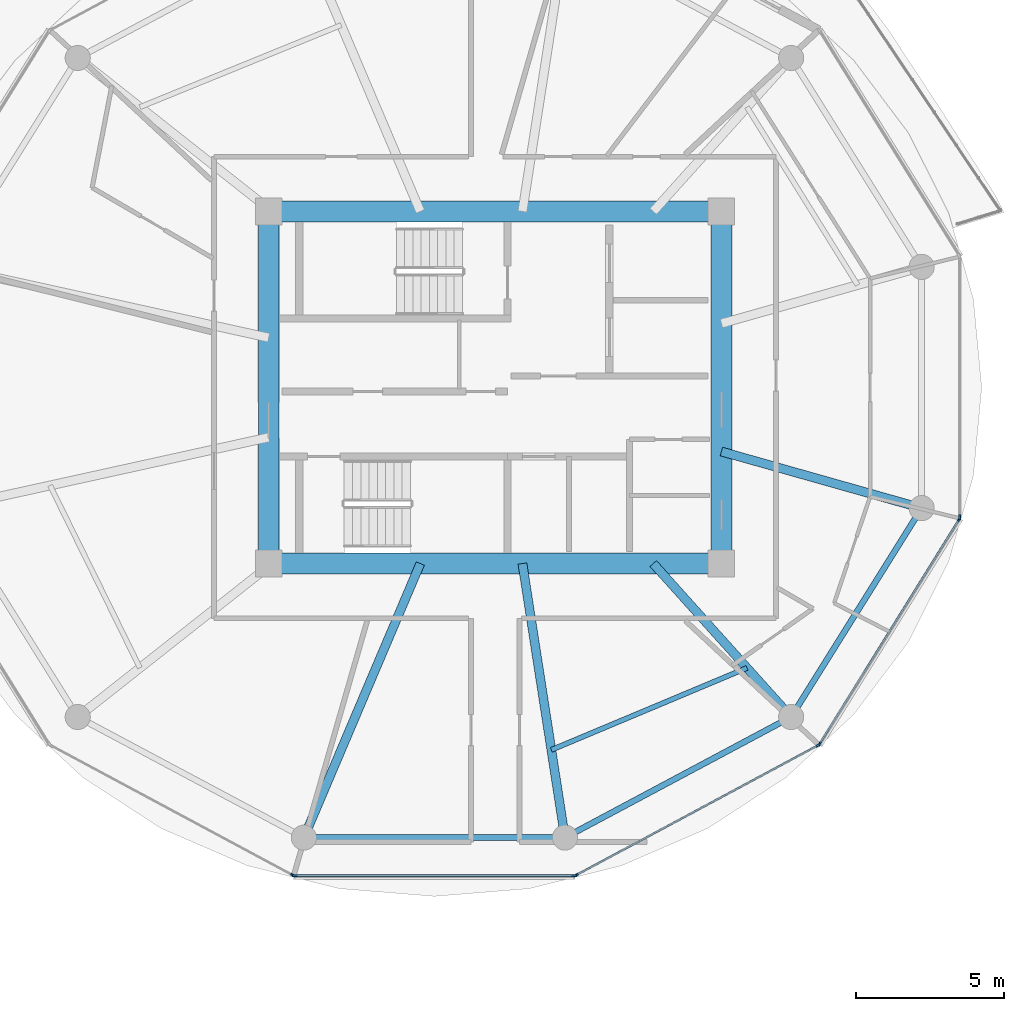
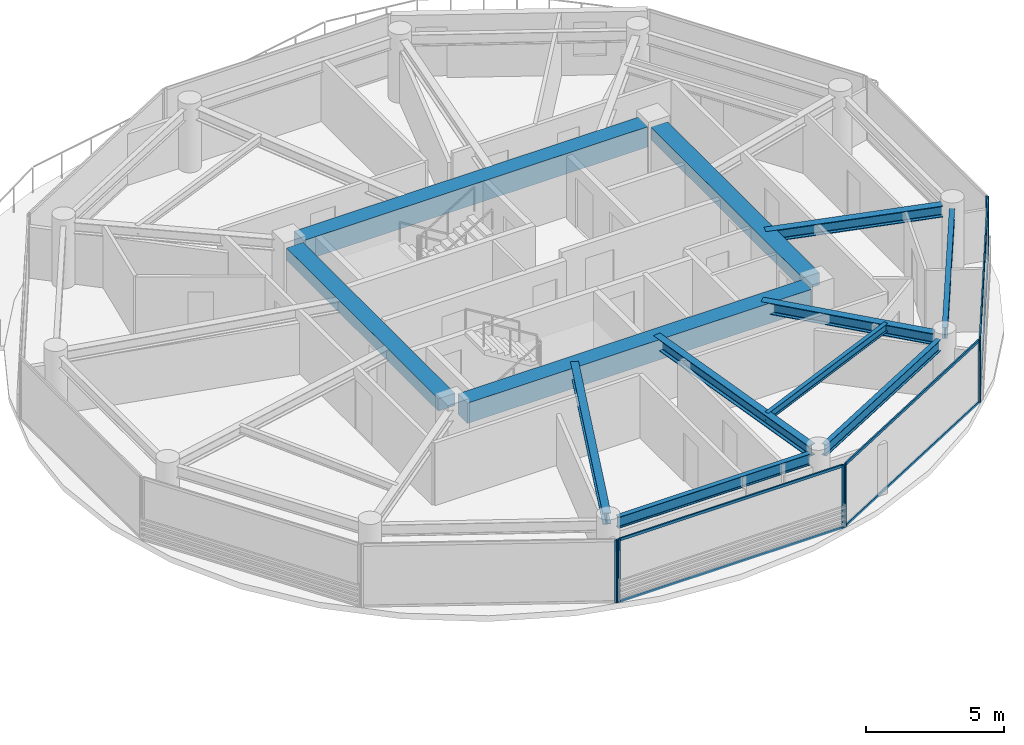
# One storey, part 10 of 24: 14 members, 12 beams, 5 elements without a shape of their own.
"""IFC4 building model written with IfcOpenShell, lengths in metres."""

import ifcopenshell
import ifcopenshell.guid

model = None  # the IFC model being written
_history = None  # IfcOwnerHistory: only IFC2X3 demands one
_inside = {}  # id of a spatial element -> (the spatial element, [elements in it])
_under = {}  # id of a project, library or spatial element -> (it, [spatial elements below it])
_declared = {}  # id of a project -> (the project, [libraries it declares])
_typed = {}  # id of a type object -> (the type object, [elements of that type])
_made_of = {}  # id of a material, layer set ... -> (it, [elements and type objects made of it])


def new_model(schema):
    """Start an empty IFC model of exactly this schema.

    Asked for "IFC4X3", IfcOpenShell would pick the latest addendum, in which some entities
    have other attributes; the version numbers below select the first issue.
    IFC2X3 requires an IfcOwnerHistory on every rooted entity: one is made here for all.
    """
    global model, _history
    if schema == "IFC4X3":
        model = ifcopenshell.file(schema_version=(4, 3, 0, 0))
    else:
        model = ifcopenshell.file(schema=schema)
    _inside.clear()
    _under.clear()
    _declared.clear()
    _typed.clear()
    _made_of.clear()
    _history = None
    if model.schema == "IFC2X3":
        org = make("IfcOrganization", Name="unknown")
        user = make(
            "IfcPersonAndOrganization",
            ThePerson=make("IfcPerson", FamilyName="unknown"),
            TheOrganization=org,
        )
        app = make(
            "IfcApplication",
            ApplicationDeveloper=org,
            Version="unknown",
            ApplicationFullName="unknown",
            ApplicationIdentifier="unknown",
        )
        _history = make(
            "IfcOwnerHistory",
            OwningUser=user,
            OwningApplication=app,
            ChangeAction="ADDED",
            CreationDate=0,
        )
    return model


def make(cls, **values):
    """One entity of the class cls with the attributes given. An attribute that is None is left unset."""
    return model.create_entity(
        cls, **{name: value for name, value in values.items() if value is not None}
    )


def rooted(cls, **values):
    """An entity with a GlobalId (a new one), such as an element, a storey or a relation."""
    return make(cls, GlobalId=ifcopenshell.guid.new(), OwnerHistory=_history, **values)


def si_unit(unit_type, name, prefix=None):
    """IfcSIUnit, for example si_unit("LENGTHUNIT", "METRE", prefix="MILLI")."""
    return make("IfcSIUnit", UnitType=unit_type, Prefix=prefix, Name=name)


def assignment(units):
    """IfcUnitAssignment: the units of a project."""
    return None if units is None else make("IfcUnitAssignment", Units=units)


def point(xyz):
    """IfcCartesianPoint."""
    return None if xyz is None else make("IfcCartesianPoint", Coordinates=xyz)


def direction(xyz):
    """IfcDirection."""
    return None if xyz is None else make("IfcDirection", DirectionRatios=xyz)


def frame(location, z_axis=None, x_axis=None):
    """IfcAxis2Placement3D, a coordinate frame: its origin and axes. An axis left out is left unset."""
    return make(
        "IfcAxis2Placement3D",
        Location=point(location),
        Axis=direction(z_axis),
        RefDirection=direction(x_axis),
    )


def frame_2d(location, x_axis=None):
    """IfcAxis2Placement2D, a coordinate frame in the plane: its origin and x axis."""
    return make(
        "IfcAxis2Placement2D", Location=point(location), RefDirection=direction(x_axis)
    )


def origin():
    """The frame at (0, 0, 0) with its axes left unset."""
    return frame((0.0, 0.0, 0.0))


def origin_2d():
    """The frame at (0, 0) in the plane with its x axis left unset."""
    return frame_2d((0.0, 0.0))


def place(relative_to, where):
    """IfcLocalPlacement: puts the frame where relative to a parent placement (None: the world)."""
    return make(
        "IfcLocalPlacement", PlacementRelTo=relative_to, RelativePlacement=where
    )


def context(
    kind, dimensions, precision=None, world=None, true_north=None, identifier=None
):
    """IfcGeometricRepresentationContext, for example the 3D "Model" context."""
    return make(
        "IfcGeometricRepresentationContext",
        ContextIdentifier=identifier,
        ContextType=kind,
        CoordinateSpaceDimension=dimensions,
        Precision=precision,
        WorldCoordinateSystem=world,
        TrueNorth=true_north,
    )


def subcontext(parent, identifier, kind, view, scale=None):
    """IfcGeometricRepresentationSubContext, for example "Body" below "Model"."""
    return make(
        "IfcGeometricRepresentationSubContext",
        ContextIdentifier=identifier,
        ContextType=kind,
        ParentContext=parent,
        TargetScale=scale,
        TargetView=view,
    )


def project(units=None, contexts=None):
    """IfcProject with its units and contexts."""
    return rooted(
        "IfcProject",
        Name="project",
        RepresentationContexts=contexts,
        UnitsInContext=assignment(units),
    )


def spatial(cls, under=None, at=None, **own):
    """A site, building, storey or space (cls), placed at a placement, below another one or the project."""
    s = rooted(cls, ObjectPlacement=at, **own)
    if under is not None:
        _under.setdefault(under.id(), (under, []))[1].append(s)
    return s


def profile(cls, at=None, kind="AREA", **sizes):
    """A parametric profile (cls). Its sizes go by their IFC names, for example OverallWidth=200.0."""
    return make(cls, ProfileType=kind, Position=at, **sizes)


def rectangle(**sizes):
    """IfcRectangleProfileDef."""
    return profile("IfcRectangleProfileDef", **sizes)


def i_section(**sizes):
    """IfcIShapeProfileDef."""
    return profile("IfcIShapeProfileDef", **sizes)


def extrude(swept, where, along, depth):
    """IfcExtrudedAreaSolid: the profile swept, set in the frame where, extruded along a direction by depth."""
    return make(
        "IfcExtrudedAreaSolid",
        SweptArea=swept,
        Position=where,
        ExtrudedDirection=direction(along),
        Depth=depth,
    )


def shape(context_of_items, identifier, shape_type, items):
    """IfcShapeRepresentation: the items that make up one representation, for example the "Body"."""
    return make(
        "IfcShapeRepresentation",
        ContextOfItems=context_of_items,
        RepresentationIdentifier=identifier,
        RepresentationType=shape_type,
        Items=items,
    )


def source(mapping_origin, context_of_items, identifier, shape_type, items):
    """IfcRepresentationMap: a shape defined once, which mapped items show again and again."""
    return make(
        "IfcRepresentationMap",
        MappingOrigin=mapping_origin,
        MappedRepresentation=shape(context_of_items, identifier, shape_type, items),
    )


def transform(
    local_origin,
    x_axis=None,
    y_axis=None,
    z_axis=None,
    scale=None,
    scale2=None,
    scale3=None,
    uniform=True,
):
    """IfcCartesianTransformationOperator3D, or its non-uniform kind. x_axis, y_axis, z_axis: its Axis1, 2, 3."""
    if uniform:
        return make(
            "IfcCartesianTransformationOperator3D",
            Axis1=direction(x_axis),
            Axis2=direction(y_axis),
            LocalOrigin=point(local_origin),
            Scale=scale,
            Axis3=direction(z_axis),
        )
    return make(
        "IfcCartesianTransformationOperator3DnonUniform",
        Axis1=direction(x_axis),
        Axis2=direction(y_axis),
        LocalOrigin=point(local_origin),
        Scale=scale,
        Axis3=direction(z_axis),
        Scale2=scale2,
        Scale3=scale3,
    )


def mapped(mapping_source, mapping_target):
    """IfcMappedItem: shows the shape of a source again, moved by a transform."""
    return make(
        "IfcMappedItem", MappingSource=mapping_source, MappingTarget=mapping_target
    )


def material(Name=None, Category=None):
    """IfcMaterial."""
    return make("IfcMaterial", Name=Name, Category=Category)


def layer(
    of_material, thickness, ventilated=None, Name=None, Category=None, Priority=None
):
    """IfcMaterialLayer: one layer of a wall or slab, of a material (None: an air gap)."""
    return make(
        "IfcMaterialLayer",
        Material=of_material,
        LayerThickness=thickness,
        IsVentilated=ventilated,
        Name=Name,
        Category=Category,
        Priority=Priority,
    )


def layer_set(layers, Name=None):
    """IfcMaterialLayerSet."""
    return make("IfcMaterialLayerSet", MaterialLayers=layers, LayerSetName=Name)


def material_profile(
    of_material, cross_section, Name=None, Category=None, Priority=None
):
    """IfcMaterialProfile: a cross section and its material."""
    return make(
        "IfcMaterialProfile",
        Name=Name,
        Material=of_material,
        Profile=cross_section,
        Priority=Priority,
        Category=Category,
    )


def profile_set(profiles, Name=None, composite=None):
    """IfcMaterialProfileSet."""
    return make(
        "IfcMaterialProfileSet",
        Name=Name,
        MaterialProfiles=profiles,
        CompositeProfile=composite,
    )


def made_of(thing, what):
    """Note that an element or type object is made of a material, layer set ...; save() writes the relation."""
    if what is not None:
        _made_of.setdefault(what.id(), (what, []))[1].append(thing)
    return thing


def type_object(cls, material=None, **own):
    """A type object (cls), such as IfcWallType, which elements share."""
    return made_of(rooted(cls, **own), material)


def type_shapes(of_type, sources):
    """Give a type object the sources (RepresentationMaps) that its elements show as mapped items."""
    of_type.RepresentationMaps = sources


def element(
    cls,
    number,
    at=None,
    inside=None,
    cuts=None,
    type_object=None,
    material=None,
    context=None,
    identifier="Body",
    shape_type=None,
    held_by="IfcProductDefinitionShape",
    body=None,
    shapes=None,
    **own,
):
    """One element of the class cls, such as IfcWall. Its Tag is "e" and its number.

    at: its placement. inside: the storey or other place that contains it. cuts: it is an
    opening in that element (IfcRelVoidsElement). A single representation is given by context,
    identifier, shape_type and body (its items); several are given by shapes. held_by: the class
    of the entity that holds the representations. save() writes the other relations.
    """
    e = rooted(cls, Tag="e%d" % number, ObjectPlacement=at, **own)
    if body is not None:
        shapes = [shape(context, identifier, shape_type, body)]
    if shapes is not None:
        e.Representation = make(held_by, Representations=shapes)
    if inside is not None:
        _inside.setdefault(inside.id(), (inside, []))[1].append(e)
    if cuts is not None:
        rooted(
            "IfcRelVoidsElement", RelatingBuildingElement=cuts, RelatedOpeningElement=e
        )
    if type_object is not None:
        _typed.setdefault(type_object.id(), (type_object, []))[1].append(e)
    return made_of(e, material)


def aggregate(whole, parts):
    """IfcRelAggregates: a whole, such as a stair, and the parts it consists of."""
    return rooted("IfcRelAggregates", RelatingObject=whole, RelatedObjects=parts)


def save(model, path):
    """Write the relations noted so far, then the file.

    IfcRelAggregates (storeys below a building ...), IfcRelContainedInSpatialStructure (elements
    in a storey), IfcRelDefinesByType, IfcRelAssociatesMaterial and IfcRelDeclares: one each for
    every whole, place, type object, material and project.
    """
    for whole, parts in _under.values():
        aggregate(whole, parts)
    for where, things in _inside.values():
        rooted(
            "IfcRelContainedInSpatialStructure",
            RelatedElements=things,
            RelatingStructure=where,
        )
    for kind, things in _typed.values():
        rooted("IfcRelDefinesByType", RelatedObjects=things, RelatingType=kind)
    for what, things in _made_of.values():
        rooted("IfcRelAssociatesMaterial", RelatedObjects=things, RelatingMaterial=what)
    for by, libraries in _declared.values():
        rooted("IfcRelDeclares", RelatingContext=by, RelatedDefinitions=libraries)
    model.write(path)


model = new_model("IFC4")

# Units and contexts
model_context = context("Model", 3, precision=1e-05, world=origin(), true_north=direction((0.0, 1.0)))
body_context = subcontext(model_context, "Body", "Model", "MODEL_VIEW")
ifc_project = project(units=[si_unit("LENGTHUNIT", "METRE"), si_unit("AREAUNIT", "SQUARE_METRE"), si_unit("VOLUMEUNIT", "CUBIC_METRE"), si_unit("PLANEANGLEUNIT", "RADIAN"), si_unit("MASSUNIT", "GRAM", prefix="KILO")], contexts=[model_context])

# Site, building, storey
site_placement = place(None, origin())
site = spatial("IfcSite", under=ifc_project, at=site_placement, CompositionType="ELEMENT")
building_placement = place(site_placement, origin())
building = spatial("IfcBuilding", under=site, at=building_placement, Name="Norrkilde Senior Care Towers", CompositionType="ELEMENT")
storey_placement = place(building_placement, frame((0.0, 0.0, 111.5)))
storey = spatial("IfcBuildingStorey", under=building, at=storey_placement, Name="L34", CompositionType="ELEMENT", Elevation=111.5)

# Beams
ifc_material_1 = material(Name="Concrete C60/75", Category="concrete")
ifc_material_profile_1 = material_profile(ifc_material_1, rectangle(XDim=0.699951171875, YDim=0.89990234375, at=origin_2d()), Name="RC BM 700x900")
ifc_profile_set_1 = profile_set([ifc_material_profile_1], Name="Concrete C60/75")
beam_type_1 = type_object("IfcBeamType", Name="Core Coupling Girder 700x900", PredefinedType="USERDEFINED", material=ifc_profile_set_1)
shared_shape_1 = source(origin(), body_context, "Body", "SweptSolid", [
    extrude(rectangle(XDim=0.699951171875, YDim=0.89990234375, at=origin_2d()), origin(), (0.0, 0.0, 1.0), 14.43994140625),
])
type_shapes(beam_type_1, [shared_shape_1])
for number, where, z_axis, x_axis, name in (
    (1, (20.780029296875, 5.949951171875, 2.340087890625), (1.0, 0.0, 0.0), (0.0, 1.0, 0.0), "L34 Core E N Coupling Girder"),
    (2, (20.780029296875, -5.949951171875, 2.340087890625), (1.0, 0.0, 0.0), (0.0, 1.0, 0.0), "L34 Core E S Coupling Girder"),
):
    element("IfcBeam", number, at=place(storey_placement, frame(where, z_axis=z_axis, x_axis=x_axis)), inside=storey, type_object=beam_type_1, Name=name, ObjectType="GIRDER", PredefinedType="USERDEFINED", context=body_context, shape_type="MappedRepresentation", body=[
        mapped(shared_shape_1, transform((0.0, 0.0, 0.0), x_axis=(1.0, 0.0, 0.0), y_axis=(0.0, 1.0, 0.0), z_axis=(0.0, 0.0, 1.0), scale=1.0)),
    ])
ifc_material_profile_2 = material_profile(ifc_material_1, rectangle(XDim=0.699951171875, YDim=0.550048828125, at=origin_2d()), Name="RC BM 700x550")
ifc_profile_set_2 = profile_set([ifc_material_profile_2], Name="Concrete C60/75")
beam_type_2 = type_object("IfcBeamType", Name="Core Portal Coupling Beam 700x550", PredefinedType="USERDEFINED", material=ifc_profile_set_2)
shared_shape_2 = source(origin(), body_context, "Body", "SweptSolid", [
    extrude(rectangle(XDim=0.699951171875, YDim=0.550048828125, at=origin_2d()), origin(), (0.0, 0.0, 1.0), 11.0400390625),
])
type_shapes(beam_type_2, [shared_shape_2])
for number, where, z_axis, x_axis, name in (
    (3, (20.35009765625, -5.52001953125, 2.514892578125), (0.0, 1.0, 0.0), (-1.0, 0.0, 0.0), "L34 Core E W Coupling Girder"),
    (4, (35.64990234375, -5.52001953125, 2.514892578125), (0.0, 1.0, 0.0), (-1.0, 0.0, 0.0), "L34 Core E E Coupling Girder"),
):
    element("IfcBeam", number, at=place(storey_placement, frame(where, z_axis=z_axis, x_axis=x_axis)), inside=storey, type_object=beam_type_2, Name=name, ObjectType="GIRDER", PredefinedType="USERDEFINED", context=body_context, shape_type="MappedRepresentation", body=[
        mapped(shared_shape_2, transform((0.0, 0.0, 0.0), x_axis=(1.0, 0.0, 0.0), y_axis=(0.0, 1.0, 0.0), z_axis=(0.0, 0.0, 1.0), scale=1.0)),
    ])
ifc_material_2 = material(Name="Steel S355", Category="steel")
ifc_material_profile_3 = material_profile(ifc_material_2, i_section(OverallWidth=0.199951171875, OverallDepth=0.5, WebThickness=0.01025390625, FlangeThickness=0.01611328125, FilletRadius=0.02099609375, at=origin_2d()), Name="IPE 500")
ifc_profile_set_3 = profile_set([ifc_material_profile_3], Name="Steel S355")
beam_type_3 = type_object("IfcBeamType", Name="Perimeter Ring Spandrel Z2 IPE500", PredefinedType="SPANDREL", material=ifc_profile_set_3)
shared_shape_3 = source(origin(), body_context, "Body", "SweptSolid", [
    extrude(i_section(OverallWidth=0.199951171875, OverallDepth=0.5, WebThickness=0.01025390625, FlangeThickness=0.01611328125, FilletRadius=0.02099609375, at=origin_2d()), origin(), (0.0, 0.0, 1.0), 7.892333984375),
])
beam_1_placement = place(storey_placement, frame((30.70263671875, -15.0322265625, 2.5400390625), z_axis=(0.882350372282, 0.47059305194, 0.0), x_axis=(-0.47059305194, 0.882350372282, 0.0)))
element("IfcBeam", 5, at=beam_1_placement, inside=storey, type_object=beam_type_3, Name="L34 Drum E Perimeter Spandrel 10", PredefinedType="SPANDREL", context=body_context, shape_type="MappedRepresentation", body=[
    mapped(shared_shape_3, transform((0.0, 0.0, 0.0), x_axis=(1.0, 0.0, 0.0), y_axis=(0.0, 1.0, 0.0), z_axis=(0.0, 0.0, 1.0), scale=1.0)),
])
shared_shape_4 = source(origin(), body_context, "Body", "SweptSolid", [
    extrude(i_section(OverallWidth=0.199951171875, OverallDepth=0.5, WebThickness=0.01025390625, FlangeThickness=0.01611328125, FilletRadius=0.02099609375, at=origin_2d()), origin(), (0.0, 0.0, 1.0), 8.0556640625),
])
beam_2_placement = place(storey_placement, frame((21.922119140625, -15.21337890625, 2.5400390625), z_axis=(1.0, 0.0, 0.0), x_axis=(0.0, 1.0, 0.0)))
element("IfcBeam", 6, at=beam_2_placement, inside=storey, type_object=beam_type_3, Name="L34 Drum E Perimeter Spandrel 09", PredefinedType="SPANDREL", context=body_context, shape_type="MappedRepresentation", body=[
    mapped(shared_shape_4, transform((0.0, 0.0, 0.0), x_axis=(1.0, 0.0, 0.0), y_axis=(0.0, 1.0, 0.0), z_axis=(0.0, 0.0, 1.0), scale=1.0)),
])
ifc_material_profile_4 = material_profile(ifc_material_2, i_section(OverallWidth=0.300048828125, OverallDepth=0.5, WebThickness=0.014404296875, FlangeThickness=0.028076171875, FilletRadius=0.027099609375, at=origin_2d()), Name="HEB 500")
ifc_profile_set_4 = profile_set([ifc_material_profile_4], Name="Steel S355")
beam_type_4 = type_object("IfcBeamType", Name="Radial Floor Beam Z2 HEB500", PredefinedType="BEAM", material=ifc_profile_set_4)
shared_shape_5 = source(origin(), body_context, "Body", "SweptSolid", [
    extrude(i_section(OverallWidth=0.300048828125, OverallDepth=0.5, WebThickness=0.014404296875, FlangeThickness=0.028076171875, FilletRadius=0.027099609375, at=origin_2d()), origin(), (0.0, 0.0, 1.0), 9.679443359375),
])
beam_3_placement = place(storey_placement, frame((25.472412109375, -5.949951171875, 2.5400390625), z_axis=(-0.390998033479, -0.920391513333, 0.0), x_axis=(0.920391513333, -0.390998033479, 0.0)))
element("IfcBeam", 7, at=beam_3_placement, inside=storey, type_object=beam_type_4, Name="L34 Drum E Radial Floor Beam 09", PredefinedType="BEAM", context=body_context, shape_type="MappedRepresentation", body=[
    mapped(shared_shape_5, transform((0.0, 0.0, 0.0), x_axis=(1.0, 0.0, 0.0), y_axis=(0.0, 1.0, 0.0), z_axis=(0.0, 0.0, 1.0), scale=1.0)),
])
shared_shape_6 = source(origin(), body_context, "Body", "SweptSolid", [
    extrude(i_section(OverallWidth=0.300048828125, OverallDepth=0.5, WebThickness=0.014404296875, FlangeThickness=0.028076171875, FilletRadius=0.027099609375, at=origin_2d()), origin(), (0.0, 0.0, 1.0), 8.989501953125),
])
beam_4_placement = place(storey_placement, frame((28.924072265625, -5.949951171875, 2.5400390625), z_axis=(0.153471298636, -0.988153105796, 0.0), x_axis=(0.988153105796, 0.153471298636, 0.0)))
element("IfcBeam", 8, at=beam_4_placement, inside=storey, type_object=beam_type_4, Name="L34 Drum E Radial Floor Beam 10", PredefinedType="BEAM", context=body_context, shape_type="MappedRepresentation", body=[
    mapped(shared_shape_6, transform((0.0, 0.0, 0.0), x_axis=(1.0, 0.0, 0.0), y_axis=(0.0, 1.0, 0.0), z_axis=(0.0, 0.0, 1.0), scale=1.0)),
])
shared_shape_7 = source(origin(), body_context, "Body", "SweptSolid", [
    extrude(i_section(OverallWidth=0.199951171875, OverallDepth=0.5, WebThickness=0.01025390625, FlangeThickness=0.01611328125, FilletRadius=0.02099609375, at=origin_2d()), origin(), (0.0, 0.0, 1.0), 7.556396484375),
])
type_shapes(beam_type_3, [shared_shape_3, shared_shape_4, shared_shape_7])
beam_5_placement = place(storey_placement, frame((38.210205078125, -10.810546875, 2.5400390625), z_axis=(0.530004748437, 0.847994673706, 0.0), x_axis=(-0.847994673706, 0.530004748437, 0.0)))
element("IfcBeam", 9, at=beam_5_placement, inside=storey, type_object=beam_type_3, Name="L34 Drum E Perimeter Spandrel 11", PredefinedType="SPANDREL", context=body_context, shape_type="MappedRepresentation", body=[
    mapped(shared_shape_7, transform((0.0, 0.0, 0.0), x_axis=(1.0, 0.0, 0.0), y_axis=(0.0, 1.0, 0.0), z_axis=(0.0, 0.0, 1.0), scale=1.0)),
])
shared_shape_8 = source(origin(), body_context, "Body", "SweptSolid", [
    extrude(i_section(OverallWidth=0.300048828125, OverallDepth=0.5, WebThickness=0.014404296875, FlangeThickness=0.028076171875, FilletRadius=0.027099609375, at=origin_2d()), origin(), (0.0, 0.0, 1.0), 6.587890625),
])
beam_6_placement = place(storey_placement, frame((33.345947265625, -5.949951171875, 2.5400390625), z_axis=(0.668315438605, -0.743877997068, 0.0), x_axis=(0.743877997068, 0.668315438605, 0.0)))
element("IfcBeam", 10, at=beam_6_placement, inside=storey, type_object=beam_type_4, Name="L34 Drum E Radial Floor Beam 11", PredefinedType="BEAM", context=body_context, shape_type="MappedRepresentation", body=[
    mapped(shared_shape_8, transform((0.0, 0.0, 0.0), x_axis=(1.0, 0.0, 0.0), y_axis=(0.0, 1.0, 0.0), z_axis=(0.0, 0.0, 1.0), scale=1.0)),
])
shared_shape_9 = source(origin(), body_context, "Body", "SweptSolid", [
    extrude(i_section(OverallWidth=0.300048828125, OverallDepth=0.5, WebThickness=0.014404296875, FlangeThickness=0.028076171875, FilletRadius=0.027099609375, at=origin_2d()), origin(), (0.0, 0.0, 1.0), 6.6494140625),
])
type_shapes(beam_type_4, [shared_shape_5, shared_shape_6, shared_shape_8, shared_shape_9])
beam_7_placement = place(storey_placement, frame((35.64990234375, -2.162841796875, 2.5400390625), z_axis=(0.962289138357, -0.27202870106, 0.0), x_axis=(0.27202870106, 0.962289138357, 0.0)))
element("IfcBeam", 11, at=beam_7_placement, inside=storey, type_object=beam_type_4, Name="L34 Drum E Radial Floor Beam 12", PredefinedType="BEAM", context=body_context, shape_type="MappedRepresentation", body=[
    mapped(shared_shape_9, transform((0.0, 0.0, 0.0), x_axis=(1.0, 0.0, 0.0), y_axis=(0.0, 1.0, 0.0), z_axis=(0.0, 0.0, 1.0), scale=1.0)),
])
ifc_material_profile_5 = material_profile(ifc_material_2, i_section(OverallWidth=0.169921875, OverallDepth=0.360107421875, WebThickness=0.008056640625, FlangeThickness=0.0126953125, FilletRadius=0.01806640625, at=origin_2d()), Name="IPE 360")
ifc_profile_set_5 = profile_set([ifc_material_profile_5], Name="Steel S355")
beam_type_5 = type_object("IfcBeamType", Name="Secondary Floor Joist IPE360", PredefinedType="JOIST", material=ifc_profile_set_5)
shared_shape_10 = source(origin(), body_context, "Body", "SweptSolid", [
    extrude(i_section(OverallWidth=0.169921875, OverallDepth=0.360107421875, WebThickness=0.008056640625, FlangeThickness=0.0126953125, FilletRadius=0.01806640625, at=origin_2d()), origin(), (0.0, 0.0, 1.0), 7.169921875),
])
type_shapes(beam_type_5, [shared_shape_10])
beam_8_placement = place(storey_placement, frame((29.902587890625, -12.2490234375, 2.610107421875), z_axis=(0.922240600393, 0.386616444279, 0.0), x_axis=(-0.386616444279, 0.922240600393, 0.0)))
element("IfcBeam", 12, at=beam_8_placement, inside=storey, type_object=beam_type_5, Name="L34 Drum E Secondary Floor Joist 4", PredefinedType="JOIST", context=body_context, shape_type="MappedRepresentation", body=[
    mapped(shared_shape_10, transform((0.0, 0.0, 0.0), x_axis=(1.0, 0.0, 0.0), y_axis=(0.0, 1.0, 0.0), z_axis=(0.0, 0.0, 1.0), scale=1.0)),
])

# Curtain wall, member
ifc_material_3 = material(Name="Triple Low-E Insulated Glazing", Category="glass")
ifc_layer = layer(ifc_material_3, 0.195068359375)
ifc_layer_set = layer_set([ifc_layer], Name="Triple Low-E Insulated Glazing")
curtain_wall_type = type_object("IfcCurtainWallType", Name="CW3 Zone 2 Assisted Living Curtain Wall", PredefinedType="NOTDEFINED", material=ifc_layer_set)
curtain_wall_1_placement = place(storey_placement, origin())
curtain_wall_1 = element("IfcCurtainWall", 13, at=curtain_wall_1_placement, inside=storey, type_object=curtain_wall_type, Name="L34 Drum E Curtain Wall 07", PredefinedType="NOTDEFINED")
ifc_material_4 = material(Name="Anodised Aluminium", Category="aluminium")
ifc_material_profile_6 = material_profile(ifc_material_4, rectangle(XDim=0.06494140625, YDim=0.159912109375, at=origin_2d()), Name="ALU MULL 65x160")
ifc_profile_set_6 = profile_set([ifc_material_profile_6], Name="Anodised Aluminium")
member_type_1 = type_object("IfcMemberType", Name="Curtain Wall Mullion Z1-Z2 65x160", PredefinedType="MULLION", material=ifc_profile_set_6)
shared_shape_11 = source(origin(), body_context, "Body", "SweptSolid", [
    extrude(rectangle(XDim=0.06494140625, YDim=0.159912109375, at=origin_2d()), origin(), (0.0, 0.0, 1.0), 2.7900390625),
])
type_shapes(member_type_1, [shared_shape_11])
member_1_placement = place(storey_placement, frame((21.164306640625, -16.482666015625, 0.0), z_axis=(0.0, 0.0, 1.0), x_axis=(-0.472769402511, -0.881186184668, 0.0)))
member_1 = element("IfcMember", 14, at=member_1_placement, type_object=member_type_1, Name="CW-3 mullion 1", PredefinedType="MULLION", context=body_context, shape_type="MappedRepresentation", body=[
    mapped(shared_shape_11, transform((0.0, 0.0, 0.0), x_axis=(1.0, 0.0, 0.0), y_axis=(0.0, 1.0, 0.0), z_axis=(0.0, 0.0, 1.0), scale=1.0)),
])
aggregate(curtain_wall_1, [member_1])

# Curtain wall, members
curtain_wall_2_placement = place(storey_placement, origin())
curtain_wall_2 = element("IfcCurtainWall", 15, at=curtain_wall_2_placement, inside=storey, type_object=curtain_wall_type, Name="L34 Drum E Curtain Wall 08", PredefinedType="NOTDEFINED")
member_2_placement = place(storey_placement, frame((30.674560546875, -16.498046875, 0.0), z_axis=(0.0, 0.0, 1.0), x_axis=(0.0, -1.0, 0.0)))
member_2 = element("IfcMember", 16, at=member_2_placement, type_object=member_type_1, Name="CW-3 mullion 1", PredefinedType="MULLION", context=body_context, shape_type="MappedRepresentation", body=[
    mapped(shared_shape_11, transform((0.0, 0.0, 0.0), x_axis=(1.0, 0.0, 0.0), y_axis=(0.0, 1.0, 0.0), z_axis=(0.0, 0.0, 1.0), scale=1.0)),
])
member_3_placement = place(storey_placement, frame((21.225341796875, -16.498046875, 0.0), z_axis=(0.0, 0.0, 1.0), x_axis=(0.0, -1.0, 0.0)))
member_3 = element("IfcMember", 17, at=member_3_placement, type_object=member_type_1, Name="CW-3 mullion 2", PredefinedType="MULLION", context=body_context, shape_type="MappedRepresentation", body=[
    mapped(shared_shape_11, transform((0.0, 0.0, 0.0), x_axis=(1.0, 0.0, 0.0), y_axis=(0.0, 1.0, 0.0), z_axis=(0.0, 0.0, 1.0), scale=1.0)),
])

curtain_wall_3_placement = place(storey_placement, origin())
curtain_wall_3 = element("IfcCurtainWall", 18, at=curtain_wall_3_placement, inside=storey, type_object=curtain_wall_type, Name="L34 Drum E Curtain Wall 09", PredefinedType="NOTDEFINED")
member_4_placement = place(storey_placement, frame((38.91796875, -12.0927734375, 0.0), z_axis=(0.0, 0.0, 1.0), x_axis=(0.472769402511, -0.881186184668, 0.0)))
member_4 = element("IfcMember", 19, at=member_4_placement, type_object=member_type_1, Name="CW-3 mullion 1", PredefinedType="MULLION", context=body_context, shape_type="MappedRepresentation", body=[
    mapped(shared_shape_11, transform((0.0, 0.0, 0.0), x_axis=(1.0, 0.0, 0.0), y_axis=(0.0, 1.0, 0.0), z_axis=(0.0, 0.0, 1.0), scale=1.0)),
])
member_5_placement = place(storey_placement, frame((30.73583984375, -16.482666015625, 0.0), z_axis=(0.0, 0.0, 1.0), x_axis=(0.472769402511, -0.881186184668, 0.0)))
member_5 = element("IfcMember", 20, at=member_5_placement, type_object=member_type_1, Name="CW-3 mullion 2", PredefinedType="MULLION", context=body_context, shape_type="MappedRepresentation", body=[
    mapped(shared_shape_11, transform((0.0, 0.0, 0.0), x_axis=(1.0, 0.0, 0.0), y_axis=(0.0, 1.0, 0.0), z_axis=(0.0, 0.0, 1.0), scale=1.0)),
])

curtain_wall_4_placement = place(storey_placement, origin())
curtain_wall_4 = element("IfcCurtainWall", 21, at=curtain_wall_4_placement, inside=storey, type_object=curtain_wall_type, Name="L34 Drum E Curtain Wall 10", PredefinedType="NOTDEFINED")
member_6_placement = place(storey_placement, frame((43.6865234375, -4.4482421875, 0.0), z_axis=(0.0, 0.0, 1.0), x_axis=(0.849410171862, -0.527733228002, 0.0)))
member_6 = element("IfcMember", 22, at=member_6_placement, type_object=member_type_1, Name="CW-3 mullion 1", PredefinedType="MULLION", context=body_context, shape_type="MappedRepresentation", body=[
    mapped(shared_shape_11, transform((0.0, 0.0, 0.0), x_axis=(1.0, 0.0, 0.0), y_axis=(0.0, 1.0, 0.0), z_axis=(0.0, 0.0, 1.0), scale=1.0)),
])
member_7_placement = place(storey_placement, frame((38.9638671875, -12.0498046875, 0.0), z_axis=(0.0, 0.0, 1.0), x_axis=(0.849410171862, -0.527733228002, 0.0)))
member_7 = element("IfcMember", 23, at=member_7_placement, type_object=member_type_1, Name="CW-3 mullion 2", PredefinedType="MULLION", context=body_context, shape_type="MappedRepresentation", body=[
    mapped(shared_shape_11, transform((0.0, 0.0, 0.0), x_axis=(1.0, 0.0, 0.0), y_axis=(0.0, 1.0, 0.0), z_axis=(0.0, 0.0, 1.0), scale=1.0)),
])

# Curtain wall, member
curtain_wall_5_placement = place(storey_placement, origin())
curtain_wall_5 = element("IfcCurtainWall", 24, at=curtain_wall_5_placement, inside=storey, type_object=curtain_wall_type, Name="L34 Drum E Curtain Wall 11", PredefinedType="NOTDEFINED")
member_8_placement = place(storey_placement, frame((43.70361328125, -4.38818359375, 0.0), z_axis=(0.0, 0.0, 1.0), x_axis=(1.0, 0.0, 0.0)))
member_8 = element("IfcMember", 25, at=member_8_placement, type_object=member_type_1, Name="CW-3 mullion 2", PredefinedType="MULLION", context=body_context, shape_type="MappedRepresentation", body=[
    mapped(shared_shape_11, transform((0.0, 0.0, 0.0), x_axis=(1.0, 0.0, 0.0), y_axis=(0.0, 1.0, 0.0), z_axis=(0.0, 0.0, 1.0), scale=1.0)),
])
aggregate(curtain_wall_5, [member_8])

# Member
ifc_material_profile_7 = material_profile(ifc_material_4, rectangle(XDim=0.06005859375, YDim=0.1201171875, at=origin_2d()), Name="ALU TRAN 60x120")
ifc_profile_set_7 = profile_set([ifc_material_profile_7], Name="Anodised Aluminium")
member_type_2 = type_object("IfcMemberType", Name="Curtain Wall Transom Typical 60x120", PredefinedType="USERDEFINED", material=ifc_profile_set_7)
shared_shape_12 = source(origin(), body_context, "Body", "SweptSolid", [
    extrude(rectangle(XDim=0.06005859375, YDim=0.1201171875, at=origin_2d()), origin(), (0.0, 0.0, 1.0), 8.88427734375),
])
member_9_placement = place(storey_placement, frame((43.66943359375, -4.475830078125, 0.030029296875), z_axis=(-0.527729466743, -0.849412508697, 0.0), x_axis=(0.849412508697, -0.527729466743, 0.0)))
member_9 = element("IfcMember", 26, at=member_9_placement, type_object=member_type_2, Name="CW-3 transom 1.1", ObjectType="TRANSOM", PredefinedType="USERDEFINED", context=body_context, shape_type="MappedRepresentation", body=[
    mapped(shared_shape_12, transform((0.0, 0.0, 0.0), x_axis=(1.0, 0.0, 0.0), y_axis=(0.0, 1.0, 0.0), z_axis=(0.0, 0.0, 1.0), scale=1.0)),
])

member_10_placement = place(storey_placement, frame((43.66943359375, -4.475830078125, 2.760009765625), z_axis=(-0.527729466743, -0.849412508697, 0.0), x_axis=(0.849412508697, -0.527729466743, 0.0)))
member_10 = element("IfcMember", 27, at=member_10_placement, type_object=member_type_2, Name="CW-3 transom 1.2", ObjectType="TRANSOM", PredefinedType="USERDEFINED", context=body_context, shape_type="MappedRepresentation", body=[
    mapped(shared_shape_12, transform((0.0, 0.0, 0.0), x_axis=(1.0, 0.0, 0.0), y_axis=(0.0, 1.0, 0.0), z_axis=(0.0, 0.0, 1.0), scale=1.0)),
])

aggregate(curtain_wall_4, [member_6, member_7, member_9, member_10])

shared_shape_13 = source(origin(), body_context, "Body", "SweptSolid", [
    extrude(rectangle(XDim=0.06005859375, YDim=0.1201171875, at=origin_2d()), origin(), (0.0, 0.0, 1.0), 9.220458984375),
])
member_11_placement = place(storey_placement, frame((38.889404296875, -12.108154296875, 0.030029296875), z_axis=(-0.881188517866, -0.472765053681, 0.0), x_axis=(0.472765053681, -0.881188517866, 0.0)))
member_11 = element("IfcMember", 28, at=member_11_placement, type_object=member_type_2, Name="CW-3 transom 1.1", ObjectType="TRANSOM", PredefinedType="USERDEFINED", context=body_context, shape_type="MappedRepresentation", body=[
    mapped(shared_shape_13, transform((0.0, 0.0, 0.0), x_axis=(1.0, 0.0, 0.0), y_axis=(0.0, 1.0, 0.0), z_axis=(0.0, 0.0, 1.0), scale=1.0)),
])

member_12_placement = place(storey_placement, frame((38.889404296875, -12.108154296875, 2.760009765625), z_axis=(-0.881188517866, -0.472765053681, 0.0), x_axis=(0.472765053681, -0.881188517866, 0.0)))
member_12 = element("IfcMember", 29, at=member_12_placement, type_object=member_type_2, Name="CW-3 transom 1.2", ObjectType="TRANSOM", PredefinedType="USERDEFINED", context=body_context, shape_type="MappedRepresentation", body=[
    mapped(shared_shape_13, transform((0.0, 0.0, 0.0), x_axis=(1.0, 0.0, 0.0), y_axis=(0.0, 1.0, 0.0), z_axis=(0.0, 0.0, 1.0), scale=1.0)),
])

aggregate(curtain_wall_3, [member_4, member_5, member_11, member_12])

shared_shape_14 = source(origin(), body_context, "Body", "SweptSolid", [
    extrude(rectangle(XDim=0.06005859375, YDim=0.1201171875, at=origin_2d()), origin(), (0.0, 0.0, 1.0), 9.38427734375),
])
type_shapes(member_type_2, [shared_shape_12, shared_shape_13, shared_shape_14])
member_13_placement = place(storey_placement, frame((30.64208984375, -16.498046875, 0.030029296875), z_axis=(-1.0, 0.0, 0.0), x_axis=(0.0, -1.0, 0.0)))
member_13 = element("IfcMember", 30, at=member_13_placement, type_object=member_type_2, Name="CW-3 transom 1.1", ObjectType="TRANSOM", PredefinedType="USERDEFINED", context=body_context, shape_type="MappedRepresentation", body=[
    mapped(shared_shape_14, transform((0.0, 0.0, 0.0), x_axis=(1.0, 0.0, 0.0), y_axis=(0.0, 1.0, 0.0), z_axis=(0.0, 0.0, 1.0), scale=1.0)),
])

member_14_placement = place(storey_placement, frame((30.64208984375, -16.498046875, 2.760009765625), z_axis=(-1.0, 0.0, 0.0), x_axis=(0.0, -1.0, 0.0)))
member_14 = element("IfcMember", 31, at=member_14_placement, type_object=member_type_2, Name="CW-3 transom 1.2", ObjectType="TRANSOM", PredefinedType="USERDEFINED", context=body_context, shape_type="MappedRepresentation", body=[
    mapped(shared_shape_14, transform((0.0, 0.0, 0.0), x_axis=(1.0, 0.0, 0.0), y_axis=(0.0, 1.0, 0.0), z_axis=(0.0, 0.0, 1.0), scale=1.0)),
])

aggregate(curtain_wall_2, [member_2, member_3, member_13, member_14])

save(model, "model.ifc")
